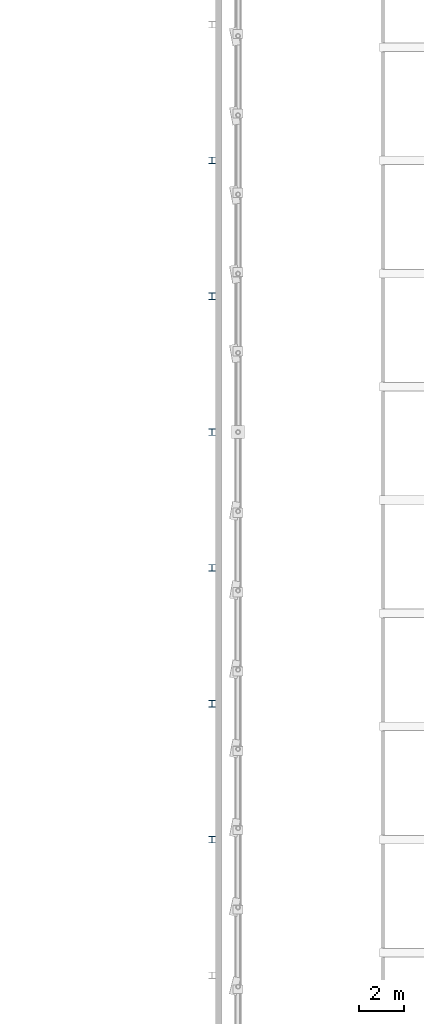
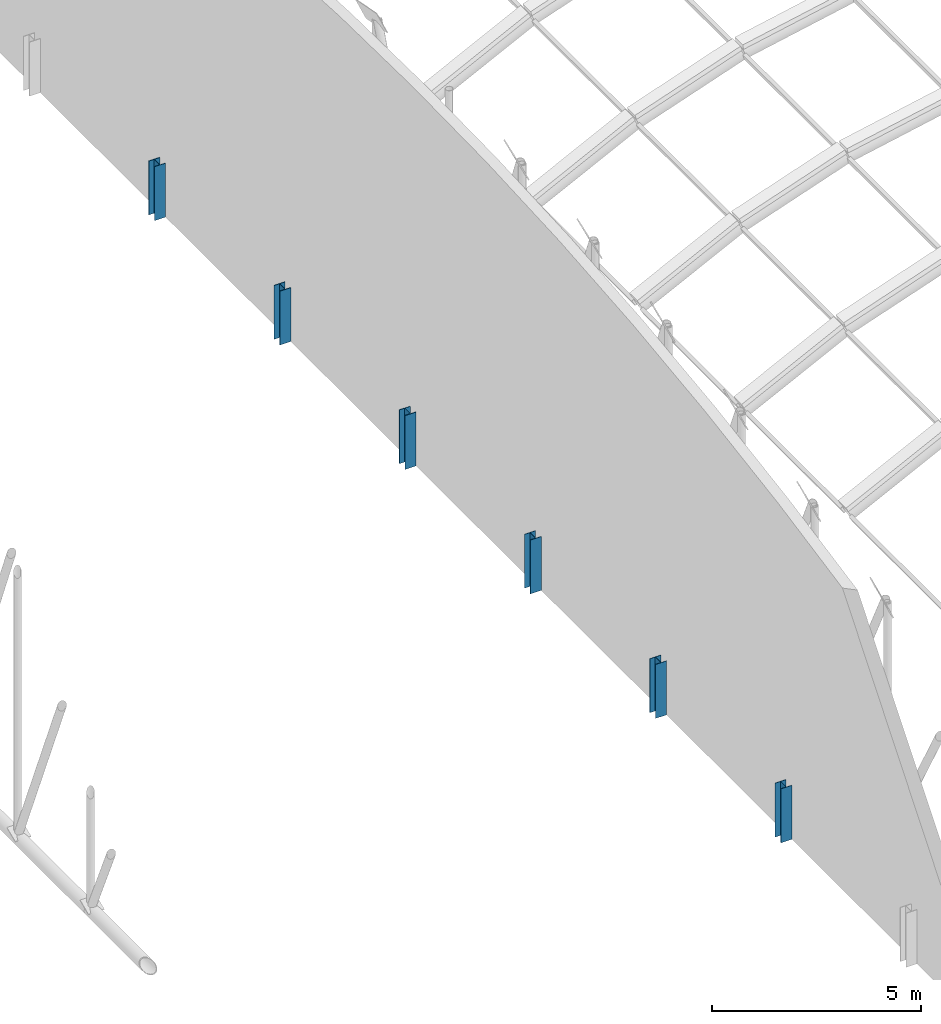
# One storey, part 20 of 196: 6 columns.
"""IFC4 building model written with IfcOpenShell, lengths in metres."""

import ifcopenshell
import ifcopenshell.guid

model = None  # the IFC model being written
_history = None  # IfcOwnerHistory: only IFC2X3 demands one
_inside = {}  # id of a spatial element -> (the spatial element, [elements in it])
_under = {}  # id of a project, library or spatial element -> (it, [spatial elements below it])
_declared = {}  # id of a project -> (the project, [libraries it declares])
_typed = {}  # id of a type object -> (the type object, [elements of that type])
_made_of = {}  # id of a material, layer set ... -> (it, [elements and type objects made of it])


def new_model(schema):
    """Start an empty IFC model of exactly this schema.

    Asked for "IFC4X3", IfcOpenShell would pick the latest addendum, in which some entities
    have other attributes; the version numbers below select the first issue.
    IFC2X3 requires an IfcOwnerHistory on every rooted entity: one is made here for all.
    """
    global model, _history
    if schema == "IFC4X3":
        model = ifcopenshell.file(schema_version=(4, 3, 0, 0))
    else:
        model = ifcopenshell.file(schema=schema)
    _inside.clear()
    _under.clear()
    _declared.clear()
    _typed.clear()
    _made_of.clear()
    _history = None
    if model.schema == "IFC2X3":
        org = make("IfcOrganization", Name="unknown")
        user = make(
            "IfcPersonAndOrganization",
            ThePerson=make("IfcPerson", FamilyName="unknown"),
            TheOrganization=org,
        )
        app = make(
            "IfcApplication",
            ApplicationDeveloper=org,
            Version="unknown",
            ApplicationFullName="unknown",
            ApplicationIdentifier="unknown",
        )
        _history = make(
            "IfcOwnerHistory",
            OwningUser=user,
            OwningApplication=app,
            ChangeAction="ADDED",
            CreationDate=0,
        )
    return model


def make(cls, **values):
    """One entity of the class cls with the attributes given. An attribute that is None is left unset."""
    return model.create_entity(
        cls, **{name: value for name, value in values.items() if value is not None}
    )


def rooted(cls, **values):
    """An entity with a GlobalId (a new one), such as an element, a storey or a relation."""
    return make(cls, GlobalId=ifcopenshell.guid.new(), OwnerHistory=_history, **values)


def si_unit(unit_type, name, prefix=None):
    """IfcSIUnit, for example si_unit("LENGTHUNIT", "METRE", prefix="MILLI")."""
    return make("IfcSIUnit", UnitType=unit_type, Prefix=prefix, Name=name)


def assignment(units):
    """IfcUnitAssignment: the units of a project."""
    return None if units is None else make("IfcUnitAssignment", Units=units)


def point(xyz):
    """IfcCartesianPoint."""
    return None if xyz is None else make("IfcCartesianPoint", Coordinates=xyz)


def direction(xyz):
    """IfcDirection."""
    return None if xyz is None else make("IfcDirection", DirectionRatios=xyz)


def frame(location, z_axis=None, x_axis=None):
    """IfcAxis2Placement3D, a coordinate frame: its origin and axes. An axis left out is left unset."""
    return make(
        "IfcAxis2Placement3D",
        Location=point(location),
        Axis=direction(z_axis),
        RefDirection=direction(x_axis),
    )


def frame_2d(location, x_axis=None):
    """IfcAxis2Placement2D, a coordinate frame in the plane: its origin and x axis."""
    return make(
        "IfcAxis2Placement2D", Location=point(location), RefDirection=direction(x_axis)
    )


def origin():
    """The frame at (0, 0, 0) with its axes left unset."""
    return frame((0.0, 0.0, 0.0))


def origin_2d():
    """The frame at (0, 0) in the plane with its x axis left unset."""
    return frame_2d((0.0, 0.0))


def place(relative_to, where):
    """IfcLocalPlacement: puts the frame where relative to a parent placement (None: the world)."""
    return make(
        "IfcLocalPlacement", PlacementRelTo=relative_to, RelativePlacement=where
    )


def context(
    kind, dimensions, precision=None, world=None, true_north=None, identifier=None
):
    """IfcGeometricRepresentationContext, for example the 3D "Model" context."""
    return make(
        "IfcGeometricRepresentationContext",
        ContextIdentifier=identifier,
        ContextType=kind,
        CoordinateSpaceDimension=dimensions,
        Precision=precision,
        WorldCoordinateSystem=world,
        TrueNorth=true_north,
    )


def subcontext(parent, identifier, kind, view, scale=None):
    """IfcGeometricRepresentationSubContext, for example "Body" below "Model"."""
    return make(
        "IfcGeometricRepresentationSubContext",
        ContextIdentifier=identifier,
        ContextType=kind,
        ParentContext=parent,
        TargetScale=scale,
        TargetView=view,
    )


def project(units=None, contexts=None):
    """IfcProject with its units and contexts."""
    return rooted(
        "IfcProject",
        Name="project",
        RepresentationContexts=contexts,
        UnitsInContext=assignment(units),
    )


def spatial(cls, under=None, at=None, **own):
    """A site, building, storey or space (cls), placed at a placement, below another one or the project."""
    s = rooted(cls, ObjectPlacement=at, **own)
    if under is not None:
        _under.setdefault(under.id(), (under, []))[1].append(s)
    return s


def profile(cls, at=None, kind="AREA", **sizes):
    """A parametric profile (cls). Its sizes go by their IFC names, for example OverallWidth=200.0."""
    return make(cls, ProfileType=kind, Position=at, **sizes)


def i_section(**sizes):
    """IfcIShapeProfileDef."""
    return profile("IfcIShapeProfileDef", **sizes)


def extrude(swept, where, along, depth):
    """IfcExtrudedAreaSolid: the profile swept, set in the frame where, extruded along a direction by depth."""
    return make(
        "IfcExtrudedAreaSolid",
        SweptArea=swept,
        Position=where,
        ExtrudedDirection=direction(along),
        Depth=depth,
    )


def shape(context_of_items, identifier, shape_type, items):
    """IfcShapeRepresentation: the items that make up one representation, for example the "Body"."""
    return make(
        "IfcShapeRepresentation",
        ContextOfItems=context_of_items,
        RepresentationIdentifier=identifier,
        RepresentationType=shape_type,
        Items=items,
    )


def material(Name=None, Category=None):
    """IfcMaterial."""
    return make("IfcMaterial", Name=Name, Category=Category)


def material_profile(
    of_material, cross_section, Name=None, Category=None, Priority=None
):
    """IfcMaterialProfile: a cross section and its material."""
    return make(
        "IfcMaterialProfile",
        Name=Name,
        Material=of_material,
        Profile=cross_section,
        Priority=Priority,
        Category=Category,
    )


def profile_set(profiles, Name=None, composite=None):
    """IfcMaterialProfileSet."""
    return make(
        "IfcMaterialProfileSet",
        Name=Name,
        MaterialProfiles=profiles,
        CompositeProfile=composite,
    )


def made_of(thing, what):
    """Note that an element or type object is made of a material, layer set ...; save() writes the relation."""
    if what is not None:
        _made_of.setdefault(what.id(), (what, []))[1].append(thing)
    return thing


def type_object(cls, material=None, **own):
    """A type object (cls), such as IfcWallType, which elements share."""
    return made_of(rooted(cls, **own), material)


def element(
    cls,
    number,
    at=None,
    inside=None,
    cuts=None,
    type_object=None,
    material=None,
    context=None,
    identifier="Body",
    shape_type=None,
    held_by="IfcProductDefinitionShape",
    body=None,
    shapes=None,
    **own,
):
    """One element of the class cls, such as IfcWall. Its Tag is "e" and its number.

    at: its placement. inside: the storey or other place that contains it. cuts: it is an
    opening in that element (IfcRelVoidsElement). A single representation is given by context,
    identifier, shape_type and body (its items); several are given by shapes. held_by: the class
    of the entity that holds the representations. save() writes the other relations.
    """
    e = rooted(cls, Tag="e%d" % number, ObjectPlacement=at, **own)
    if body is not None:
        shapes = [shape(context, identifier, shape_type, body)]
    if shapes is not None:
        e.Representation = make(held_by, Representations=shapes)
    if inside is not None:
        _inside.setdefault(inside.id(), (inside, []))[1].append(e)
    if cuts is not None:
        rooted(
            "IfcRelVoidsElement", RelatingBuildingElement=cuts, RelatedOpeningElement=e
        )
    if type_object is not None:
        _typed.setdefault(type_object.id(), (type_object, []))[1].append(e)
    return made_of(e, material)


def aggregate(whole, parts):
    """IfcRelAggregates: a whole, such as a stair, and the parts it consists of."""
    return rooted("IfcRelAggregates", RelatingObject=whole, RelatedObjects=parts)


def save(model, path):
    """Write the relations noted so far, then the file.

    IfcRelAggregates (storeys below a building ...), IfcRelContainedInSpatialStructure (elements
    in a storey), IfcRelDefinesByType, IfcRelAssociatesMaterial and IfcRelDeclares: one each for
    every whole, place, type object, material and project.
    """
    for whole, parts in _under.values():
        aggregate(whole, parts)
    for where, things in _inside.values():
        rooted(
            "IfcRelContainedInSpatialStructure",
            RelatedElements=things,
            RelatingStructure=where,
        )
    for kind, things in _typed.values():
        rooted("IfcRelDefinesByType", RelatedObjects=things, RelatingType=kind)
    for what, things in _made_of.values():
        rooted("IfcRelAssociatesMaterial", RelatedObjects=things, RelatingMaterial=what)
    for by, libraries in _declared.values():
        rooted("IfcRelDeclares", RelatingContext=by, RelatedDefinitions=libraries)
    model.write(path)


model = new_model("IFC4")

# Units and contexts
model_context = context("Model", 3, precision=1e-05, world=origin(), true_north=direction((0.0, 1.0)))
body_context = subcontext(model_context, "Body", "Model", "MODEL_VIEW")
ifc_project = project(units=[si_unit("LENGTHUNIT", "METRE"), si_unit("AREAUNIT", "SQUARE_METRE"), si_unit("VOLUMEUNIT", "CUBIC_METRE"), si_unit("PLANEANGLEUNIT", "RADIAN"), si_unit("MASSUNIT", "GRAM", prefix="KILO")], contexts=[model_context])

# Site, building, storey
site_placement = place(None, origin())
site = spatial("IfcSite", under=ifc_project, at=site_placement, CompositionType="ELEMENT")
building_placement = place(site_placement, origin())
building = spatial("IfcBuilding", under=site, at=building_placement, Name="Okhra Congress Centre", CompositionType="ELEMENT")
storey_placement = place(building_placement, frame((0.0, 0.0, 12.0)))
storey = spatial("IfcBuildingStorey", under=building, at=storey_placement, Name="L02", CompositionType="ELEMENT", Elevation=12.0)

# Columns
ifc_material = material(Name="Steel S355J2", Category="steel")
ifc_material_profile = material_profile(ifc_material, i_section(OverallWidth=0.300048828125, OverallDepth=0.2900390625, WebThickness=0.008544921875, FlangeThickness=0.013916015625, at=origin_2d()), Name="HE 300 A")
ifc_profile_set = profile_set([ifc_material_profile], Name="Steel S355J2")
column_type = type_object("IfcColumnType", Name="HE 300 A", PredefinedType="COLUMN", material=ifc_profile_set)
for number, where, z_axis, x_axis, name in (
    (1, (152.85009765625, 156.0, 0.0), (0.0, 0.0, 1.0), (1.0, 0.0, 0.0), "EH.COL.L02.WP22"),
    (2, (152.85009765625, 162.0, 0.0), (0.0, 0.0, 1.0), (1.0, 0.0, 0.0), "EH.COL.L02.WP24"),
    (3, (152.85009765625, 168.0, 0.0), (0.0, 0.0, 1.0), (1.0, 0.0, 0.0), "EH.COL.L02.WP26"),
    (4, (152.85009765625, 174.0, 0.0), (0.0, 0.0, 1.0), (1.0, 0.0, 0.0), "EH.COL.L02.WP28"),
    (5, (152.85009765625, 180.0, 0.0), (0.0, 0.0, 1.0), (1.0, 0.0, 0.0), "EH.COL.L02.WP30"),
    (6, (152.85009765625, 186.0, 0.0), (0.0, 0.0, 1.0), (1.0, 0.0, 0.0), "EH.COL.L02.WP32"),
):
    element("IfcColumn", number, at=place(storey_placement, frame(where, z_axis=z_axis, x_axis=x_axis)), inside=storey, type_object=column_type, Name=name, PredefinedType="COLUMN", context=body_context, shape_type="SweptSolid", body=[
        extrude(i_section(OverallWidth=0.300048828125, OverallDepth=0.2900390625, WebThickness=0.008544921875, FlangeThickness=0.013916015625, at=origin_2d()), origin(), (0.0, 0.0, 1.0), 1.57666015625),
    ])

save(model, "model.ifc")
